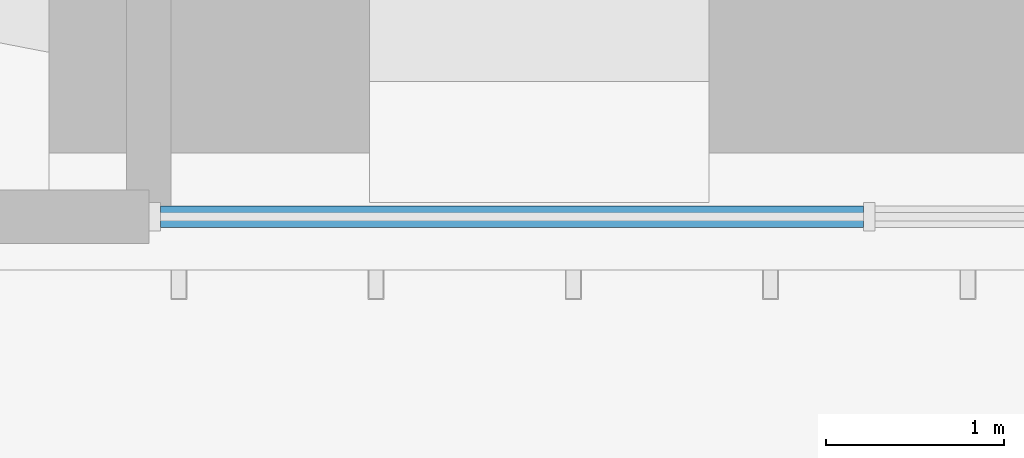
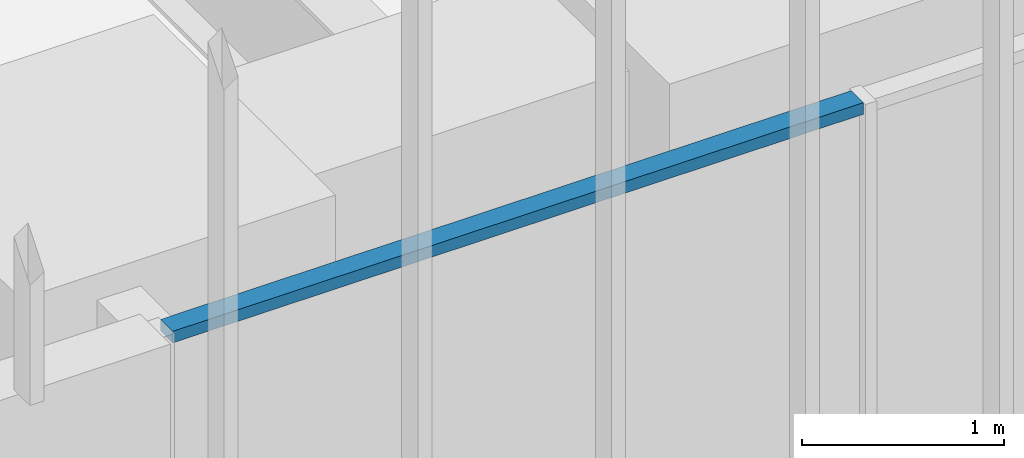
# One storey, part 32 of 228: 1 member, 1 element without a shape of its own.
"""IFC4 building model written with IfcOpenShell, lengths in metres."""

from ifc_helpers import new_model, si_unit, direction, frame, origin, origin_2d, place, context, subcontext, project, spatial, rectangle, extrude, material, material_profile, profile_set, type_object, element, aggregate, save


model = new_model("IFC4")

# Units and contexts
model_context = context("Model", 3, precision=1e-05, world=origin(), true_north=direction((0.0, 1.0)))
body_context = subcontext(model_context, "Body", "Model", "MODEL_VIEW")
ifc_project = project(units=[si_unit("LENGTHUNIT", "METRE"), si_unit("AREAUNIT", "SQUARE_METRE"), si_unit("VOLUMEUNIT", "CUBIC_METRE"), si_unit("PLANEANGLEUNIT", "RADIAN"), si_unit("MASSUNIT", "GRAM", prefix="KILO")], contexts=[model_context])

# Site, building, storey
site_placement = place(None, origin())
site = spatial("IfcSite", under=ifc_project, at=site_placement, CompositionType="ELEMENT")
building_placement = place(site_placement, origin())
building = spatial("IfcBuilding", under=site, at=building_placement, Name="Sandreach Pilgrim Tower", CompositionType="ELEMENT")
storey_placement = place(building_placement, frame((0.0, 0.0, 178.199951171875)))
storey = spatial("IfcBuildingStorey", under=building, at=storey_placement, Name="L44", CompositionType="ELEMENT", Elevation=178.199951171875)

# Curtain wall, member
ifc_material_1 = material(Name="Aluminium framed curtain wall", Category="aluminium")
curtain_wall_type = type_object("IfcCurtainWallType", Name="Upper hotel tower curtain wall", PredefinedType="NOTDEFINED", material=ifc_material_1)
curtain_wall_placement = place(storey_placement, origin())
curtain_wall = element("IfcCurtainWall", 1, at=curtain_wall_placement, inside=storey, type_object=curtain_wall_type, Name="CW-3 L44 SA", PredefinedType="NOTDEFINED")
ifc_material_2 = material(Name="Aluminium extrusion", Category="aluminium")
ifc_material_profile = material_profile(ifc_material_2, rectangle(XDim=0.1201171875, YDim=0.070068359375, at=origin_2d()), Name="CW-3T 120X70")
ifc_profile_set = profile_set([ifc_material_profile], Name="Aluminium extrusion")
member_type = type_object("IfcMemberType", Name="CW-3 transom", PredefinedType="USERDEFINED", material=ifc_profile_set)
member_placement = place(storey_placement, frame((-0.032470703125, -26.525146484375, 4.804931640625), z_axis=(-1.0, 0.0, 0.0), x_axis=(0.0, -1.0, 0.0)))
member = element("IfcMember", 2, at=member_placement, type_object=member_type, Name="CW-3 head transom 3", ObjectType="TRANSOM", PredefinedType="USERDEFINED", context=body_context, shape_type="SweptSolid", body=[
    extrude(rectangle(XDim=0.1201171875, YDim=0.070068359375, at=origin_2d()), origin(), (0.0, 0.0, 1.0), 3.951171875),
])
aggregate(curtain_wall, [member])

save(model, "model.ifc")
